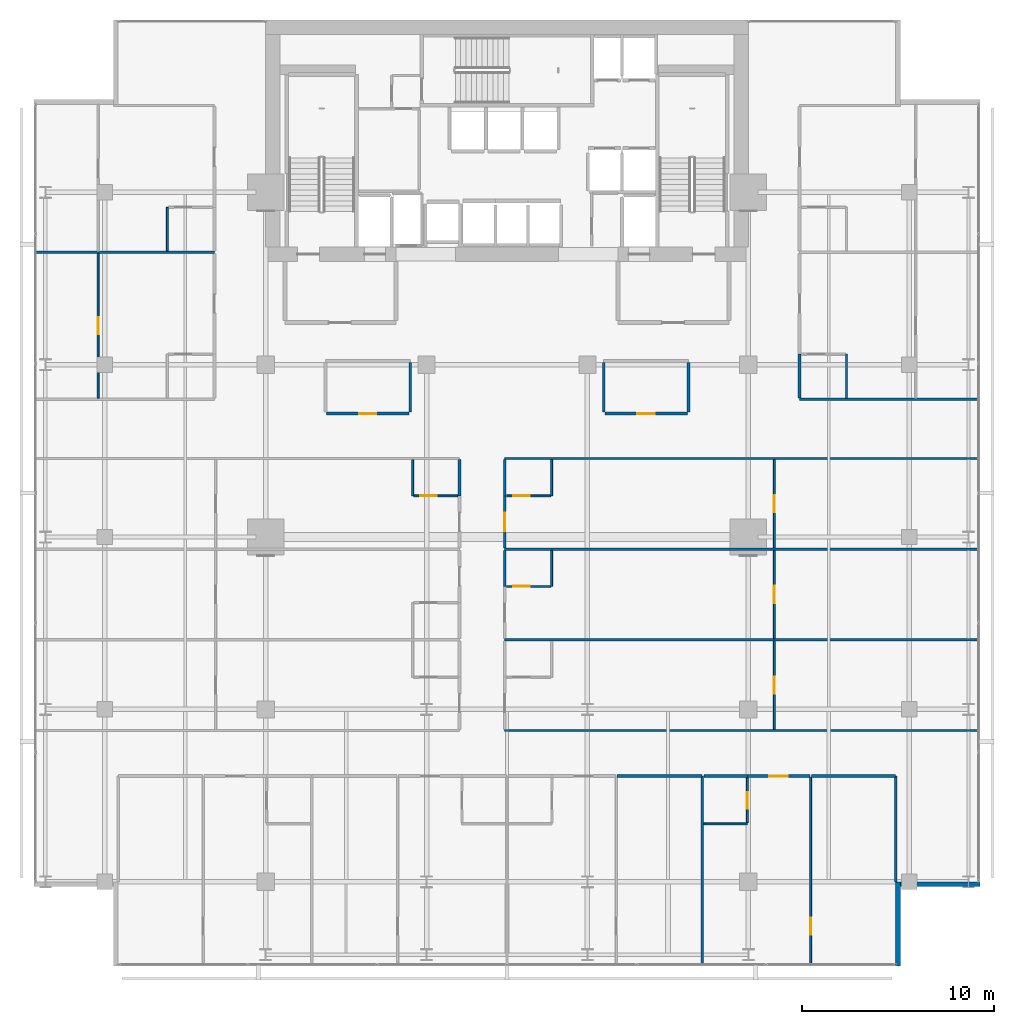
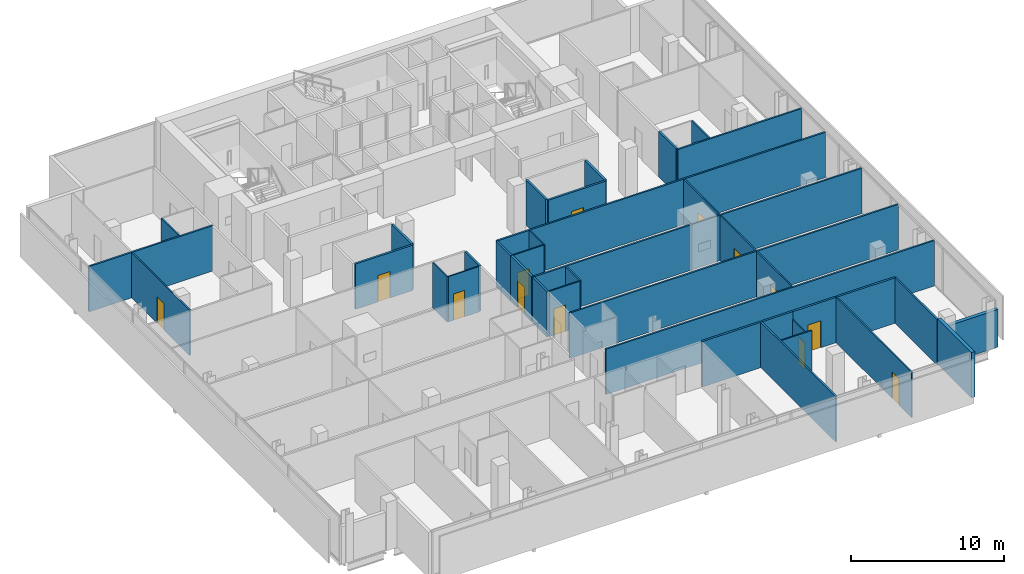
# One storey, part 28 of 33: 39 walls, 13 doors, 13 openings.
"""IFC4 building model written with IfcOpenShell, lengths in metres."""

from ifc_helpers import new_model, si_unit, direction, frame, frame_2d, origin, place, context, subcontext, project, spatial, rectangle, extrude, material, layer, layer_set, type_object, element, fill, save


model = new_model("IFC4")

# Units and contexts
model_context = context("Model", 3, precision=1e-05, world=origin(), true_north=direction((0.0, 1.0)))
body_context = subcontext(model_context, "Body", "Model", "MODEL_VIEW")
ifc_project = project(units=[si_unit("LENGTHUNIT", "METRE"), si_unit("AREAUNIT", "SQUARE_METRE"), si_unit("VOLUMEUNIT", "CUBIC_METRE"), si_unit("PLANEANGLEUNIT", "RADIAN"), si_unit("MASSUNIT", "GRAM", prefix="KILO")], contexts=[model_context])

# Site, building, storey
site_placement = place(None, origin())
site = spatial("IfcSite", under=ifc_project, at=site_placement, CompositionType="ELEMENT")
building_placement = place(site_placement, origin())
building = spatial("IfcBuilding", under=site, at=building_placement, Name="Maruvema Waterfront Hotel and Observation Tower", CompositionType="ELEMENT")
storey_placement = place(building_placement, frame((0.0, 0.0, 142.800048828125)))
storey = spatial("IfcBuildingStorey", under=building, at=storey_placement, Name="L34", CompositionType="ELEMENT", Elevation=142.800048828125)

# Wall
ifc_material_1 = material(Name="Twin-stud acoustic gypsum drywall", Category="gypsum")
ifc_layer_1 = layer(ifc_material_1, 0.14990234375, Name="Acoustic Corridor and Suite Demising Wall 150 mm")
ifc_layer_set_1 = layer_set([ifc_layer_1], Name="Twin-stud acoustic gypsum drywall")
wall_type_1 = type_object("IfcWallType", Name="Acoustic Corridor and Suite Demising Wall 150 mm", PredefinedType="PARTITIONING", material=ifc_layer_set_1)
wall_1_placement = place(storey_placement, frame((32.75, 33.530029296875, 0.0), z_axis=(0.0, 0.0, 1.0), x_axis=(0.0, 1.0, 0.0)))
element("IfcWall", 1, at=wall_1_placement, inside=storey, type_object=wall_type_1, Name="L34 L34-M1 East Wall 019", PredefinedType="PARTITIONING", context=body_context, shape_type="SweptSolid", body=[
    extrude(rectangle(XDim=2.590087890625, YDim=0.14990234375, at=frame_2d((1.294921875, 0.0))), origin(), (0.0, 0.0, 1.0), 3.60986328125),
])

# Wall, opening, door
wall_2_placement = place(storey_placement, frame((28.3798828125, 33.449951171875, 0.0), z_axis=(0.0, 0.0, 1.0), x_axis=(1.0, 0.0, 0.0)))
wall_2 = element("IfcWall", 2, at=wall_2_placement, inside=storey, type_object=wall_type_1, Name="L34 L34-M1 Front 1 020", PredefinedType="PARTITIONING", context=body_context, shape_type="SweptSolid", body=[
    extrude(rectangle(XDim=4.31005859375, YDim=0.14990234375, at=frame_2d((2.155029296875, 0.0))), origin(), (0.0, 0.0, 1.0), 3.60986328125),
])
opening_1_placement = place(wall_2_placement, frame((1.705078125, 0.0, 0.0)))
opening_1 = element("IfcOpeningElement", 3, at=opening_1_placement, cuts=wall_2, Name="Opening DR-090", PredefinedType="OPENING", context=body_context, shape_type="SweptSolid", body=[
    extrude(rectangle(XDim=0.89990234375, YDim=2.10009765625, at=frame_2d((0.449951171875, 1.050048828125))), frame((0.0, 0.0849609375, 0.0), z_axis=(0.0, -1.0, 0.0), x_axis=(1.0, 0.0, 0.0)), (0.0, 0.0, 1.0), 0.169921875),
])
ifc_material_2 = material(Name="Solid-core lacquered timber leaf", Category="wood")
door_type_1 = type_object("IfcDoorType", Name="Accessible Toilet and Room Door 900x2100 mm", OperationType="NOTDEFINED", PredefinedType="DOOR", material=ifc_material_2)
door_1_placement = place(opening_1_placement, frame((0.89990234375, 0.0, 0.0), z_axis=(0.0, 0.0, 1.0), x_axis=(-1.0, 0.0, 0.0)))
door_1 = element("IfcDoor", 4, at=door_1_placement, inside=storey, type_object=door_type_1, Name="L34 Club Meeting Room 1 Door", OperationType="SINGLE_SWING_RIGHT", OverallHeight=2.10009765625, OverallWidth=0.89990234375, PredefinedType="DOOR", context=body_context, shape_type="SweptSolid", body=[
    extrude(rectangle(XDim=0.89990234375, YDim=2.10009765625, at=frame_2d((0.449951171875, 1.050048828125))), frame((0.0, 0.02490234375, 0.0), z_axis=(0.0, -1.0, 0.0), x_axis=(1.0, 0.0, 0.0)), (0.0, 0.0, 1.0), 0.050048828125),
])
fill(opening_1, door_1)

# Walls
for number, where, z_axis, x_axis, name in (
    (5, (42.85009765625, 33.530029296875, 0.0), (0.0, 0.0, 1.0), (0.0, 1.0, 0.0), "L34 L34-M2 West Wall 022"),
    (6, (47.280029296875, 33.530029296875, 0.0), (0.0, 0.0, 1.0), (0.0, 1.0, 0.0), "L34 L34-M2 East Wall 023"),
):
    element("IfcWall", number, at=place(storey_placement, frame(where, z_axis=z_axis, x_axis=x_axis)), inside=storey, type_object=wall_type_1, Name=name, PredefinedType="PARTITIONING", context=body_context, shape_type="SweptSolid", body=[
        extrude(rectangle(XDim=2.590087890625, YDim=0.14990234375, at=frame_2d((1.294921875, 0.0))), origin(), (0.0, 0.0, 1.0), 3.60986328125),
    ])

# Wall, opening, door
wall_3_placement = place(storey_placement, frame((42.909912109375, 33.449951171875, 0.0), z_axis=(0.0, 0.0, 1.0), x_axis=(1.0, 0.0, 0.0)))
wall_3 = element("IfcWall", 7, at=wall_3_placement, inside=storey, type_object=wall_type_1, Name="L34 L34-M2 Front 1 024", PredefinedType="PARTITIONING", context=body_context, shape_type="SweptSolid", body=[
    extrude(rectangle(XDim=4.31005859375, YDim=0.14990234375, at=frame_2d((2.155029296875, 0.0))), origin(), (0.0, 0.0, 1.0), 3.60986328125),
])
opening_2_placement = place(wall_3_placement, frame((1.705078125, 0.0, 0.0)))
opening_2 = element("IfcOpeningElement", 8, at=opening_2_placement, cuts=wall_3, Name="Opening DR-090", PredefinedType="OPENING", context=body_context, shape_type="SweptSolid", body=[
    extrude(rectangle(XDim=0.89990234375, YDim=2.10009765625, at=frame_2d((0.449951171875, 1.050048828125))), frame((0.0, 0.0849609375, 0.0), z_axis=(0.0, -1.0, 0.0), x_axis=(1.0, 0.0, 0.0)), (0.0, 0.0, 1.0), 0.169921875),
])
door_2_placement = place(opening_2_placement, frame((0.89990234375, 0.0, 0.0), z_axis=(0.0, 0.0, 1.0), x_axis=(-1.0, 0.0, 0.0)))
door_2 = element("IfcDoor", 9, at=door_2_placement, inside=storey, type_object=door_type_1, Name="L34 Butler Kitchenette Door", OperationType="SINGLE_SWING_LEFT", OverallHeight=2.10009765625, OverallWidth=0.89990234375, PredefinedType="DOOR", context=body_context, shape_type="SweptSolid", body=[
    extrude(rectangle(XDim=0.89990234375, YDim=2.10009765625, at=frame_2d((0.449951171875, 1.050048828125))), frame((0.0, 0.02490234375, 0.0), z_axis=(0.0, -1.0, 0.0), x_axis=(1.0, 0.0, 0.0)), (0.0, 0.0, 1.0), 0.050048828125),
])
fill(opening_2, door_2)

# Walls
wall_4_placement = place(storey_placement, frame((43.552001953125, 14.52001953125, 0.0), z_axis=(0.0, 0.0, 1.0), x_axis=(1.0, 0.0, 0.0)))
element("IfcWall", 10, at=wall_4_placement, inside=storey, type_object=wall_type_1, Name="L34 Bedroom L34-S3 Back Wall 045", PredefinedType="PARTITIONING", context=body_context, shape_type="SweptSolid", body=[
    extrude(rectangle(XDim=4.427978515625, YDim=0.14990234375, at=frame_2d((2.2138671875, 0.0))), origin(), (0.0, 0.0, 1.0), 3.60986328125),
])
wall_5_placement = place(storey_placement, frame((48.080078125, 14.52001953125, 0.0), z_axis=(0.0, 0.0, 1.0), x_axis=(1.0, 0.0, 0.0)))
element("IfcWall", 11, at=wall_5_placement, inside=storey, type_object=wall_type_1, Name="L34 Bath L34-S4 Back Wall 048", PredefinedType="PARTITIONING", context=body_context, shape_type="SweptSolid", body=[
    extrude(rectangle(XDim=2.27001953125, YDim=0.14990234375, at=frame_2d((1.135009765625, 0.0))), origin(), (0.0, 0.0, 1.0), 3.60986328125),
])

# Wall, opening, door
wall_6_placement = place(storey_placement, frame((50.35009765625, 14.52001953125, 0.0), z_axis=(0.0, 0.0, 1.0), x_axis=(1.0, 0.0, 0.0)))
wall_6 = element("IfcWall", 12, at=wall_6_placement, inside=storey, type_object=wall_type_1, Name="L34 Unit L34-S4 Corridor Wall 051", PredefinedType="PARTITIONING", context=body_context, shape_type="SweptSolid", body=[
    extrude(rectangle(XDim=3.265869140625, YDim=0.14990234375, at=frame_2d((1.6328125, 0.0))), origin(), (0.0, 0.0, 1.0), 3.60986328125),
])
opening_3_placement = place(wall_6_placement, frame((1.157958984375, 0.0, 0.0)))
opening_3 = element("IfcOpeningElement", 13, at=opening_3_placement, cuts=wall_6, Name="Opening DR-095", PredefinedType="OPENING", context=body_context, shape_type="SweptSolid", body=[
    extrude(rectangle(XDim=0.949951171875, YDim=2.14990234375, at=frame_2d((0.47509765625, 1.074951171875))), frame((0.0, 0.0849609375, 0.0), z_axis=(0.0, -1.0, 0.0), x_axis=(1.0, 0.0, 0.0)), (0.0, 0.0, 1.0), 0.169921875),
])
ifc_material_3 = material(Name="Acoustic solid-core hardwood timber leaf", Category="wood")
door_type_2 = type_object("IfcDoorType", Name="Guestroom Entrance Fire Door 950x2150 mm", OperationType="NOTDEFINED", PredefinedType="DOOR", material=ifc_material_3)
door_3_placement = place(opening_3_placement, frame((0.949951171875, 0.0, 0.0), z_axis=(0.0, 0.0, 1.0), x_axis=(-1.0, 0.0, 0.0)))
door_3 = element("IfcDoor", 14, at=door_3_placement, inside=storey, type_object=door_type_2, Name="L34 Unit L34-S4 Entrance Door", OperationType="SINGLE_SWING_RIGHT", OverallHeight=2.14990234375, OverallWidth=0.949951171875, PredefinedType="DOOR", context=body_context, shape_type="SweptSolid", body=[
    extrude(rectangle(XDim=0.949951171875, YDim=2.14990234375, at=frame_2d((0.47509765625, 1.074951171875))), frame((0.0, 0.02490234375, 0.0), z_axis=(0.0, -1.0, 0.0), x_axis=(1.0, 0.0, 0.0)), (0.0, 0.0, 1.0), 0.050048828125),
])
fill(opening_3, door_3)

# Walls
wall_7_placement = place(storey_placement, frame((53.696044921875, 14.52001953125, 0.0), z_axis=(0.0, 0.0, 1.0), x_axis=(1.0, 0.0, 0.0)))
element("IfcWall", 15, at=wall_7_placement, inside=storey, type_object=wall_type_1, Name="L34 Bedroom L34-S4 Back Wall 052", PredefinedType="PARTITIONING", context=body_context, shape_type="SweptSolid", body=[
    extrude(rectangle(XDim=4.384033203125, YDim=0.14990234375, at=frame_2d((2.19189453125, 0.0))), origin(), (0.0, 0.0, 1.0), 3.60986328125),
])
for number, where, z_axis, x_axis, name in (
    (16, (37.679931640625, 24.419921875, 0.0), (0.0, 0.0, 1.0), (0.0, 1.0, 0.0), "L34 Bath L34-E2 Wall 076"),
    (17, (35.320068359375, 29.14990234375, 0.0), (0.0, 0.0, 1.0), (0.0, 1.0, 0.0), "L34 Bath L34-W3 Wall 083"),
):
    element("IfcWall", number, at=place(storey_placement, frame(where, z_axis=z_axis, x_axis=x_axis)), inside=storey, type_object=wall_type_1, Name=name, PredefinedType="PARTITIONING", context=body_context, shape_type="SweptSolid", body=[
        extrude(rectangle(XDim=1.89013671875, YDim=0.14990234375, at=frame_2d((0.945068359375, 0.0))), origin(), (0.0, 0.0, 1.0), 3.60986328125),
    ])

# Wall, opening, door
wall_8_placement = place(storey_placement, frame((37.679931640625, 26.429931640625, 0.0), z_axis=(0.0, 0.0, 1.0), x_axis=(0.0, 1.0, 0.0)))
wall_8 = element("IfcWall", 18, at=wall_8_placement, inside=storey, type_object=wall_type_1, Name="L34 Room L34-E3 Corridor Wall 087", PredefinedType="PARTITIONING", context=body_context, shape_type="SweptSolid", body=[
    extrude(rectangle(XDim=2.719970703125, YDim=0.14990234375, at=frame_2d((1.35986328125, 0.0))), origin(), (0.0, 0.0, 1.0), 3.60986328125),
])
opening_4_placement = place(wall_8_placement, frame((0.885009765625, 0.0, 0.0)))
opening_4 = element("IfcOpeningElement", 19, at=opening_4_placement, cuts=wall_8, Name="Opening DR-095", PredefinedType="OPENING", context=body_context, shape_type="SweptSolid", body=[
    extrude(rectangle(XDim=0.949951171875, YDim=2.14990234375, at=frame_2d((0.47509765625, 1.074951171875))), frame((0.0, 0.0849609375, 0.0), z_axis=(0.0, -1.0, 0.0), x_axis=(1.0, 0.0, 0.0)), (0.0, 0.0, 1.0), 0.169921875),
])
door_4_placement = place(opening_4_placement, frame((0.949951171875, 0.0, 0.0), z_axis=(0.0, 0.0, 1.0), x_axis=(-1.0, 0.0, 0.0)))
door_4 = element("IfcDoor", 20, at=door_4_placement, inside=storey, type_object=door_type_2, Name="L34 Room L34-E3 Entrance Door", OperationType="SINGLE_SWING_RIGHT", OverallHeight=2.14990234375, OverallWidth=0.949951171875, PredefinedType="DOOR", context=body_context, shape_type="SweptSolid", body=[
    extrude(rectangle(XDim=0.949951171875, YDim=2.14990234375, at=frame_2d((0.47509765625, 1.074951171875))), frame((0.0, 0.02490234375, 0.0), z_axis=(0.0, -1.0, 0.0), x_axis=(1.0, 0.0, 0.0)), (0.0, 0.0, 1.0), 0.050048828125),
])
fill(opening_4, door_4)

# Walls
wall_9_placement = place(storey_placement, frame((37.679931640625, 29.14990234375, 0.0), z_axis=(0.0, 0.0, 1.0), x_axis=(0.0, 1.0, 0.0)))
element("IfcWall", 21, at=wall_9_placement, inside=storey, type_object=wall_type_1, Name="L34 Bath L34-E3 Wall 088", PredefinedType="PARTITIONING", context=body_context, shape_type="SweptSolid", body=[
    extrude(rectangle(XDim=1.89013671875, YDim=0.14990234375, at=frame_2d((0.945068359375, 0.0))), origin(), (0.0, 0.0, 1.0), 3.60986328125),
])
wall_10_placement = place(storey_placement, frame((53.080078125, 34.260009765625, 0.0), z_axis=(0.0, 0.0, 1.0), x_axis=(0.0, 1.0, 0.0)))
element("IfcWall", 22, at=wall_10_placement, inside=storey, type_object=wall_type_1, Name="L34 Bath L34-NE1 Wall 101", PredefinedType="PARTITIONING", context=body_context, shape_type="SweptSolid", body=[
    extrude(rectangle(XDim=2.2900390625, YDim=0.14990234375, at=frame_2d((1.14501953125, 0.0))), origin(), (0.0, 0.0, 1.0), 3.60986328125),
])
ifc_material_4 = material(Name="Moisture-resistant cement-board drywall", Category="gypsum")
ifc_layer_2 = layer(ifc_material_4, 0.10009765625, Name="En-Suite Moisture-Resistant Partition 100 mm")
ifc_layer_set_2 = layer_set([ifc_layer_2], Name="Moisture-resistant cement-board drywall")
wall_type_2 = type_object("IfcWallType", Name="En-Suite Moisture-Resistant Partition 100 mm", PredefinedType="PARTITIONING", material=ifc_layer_set_2)
wall_11_placement = place(storey_placement, frame((48.080078125, 12.02001953125, 0.0), z_axis=(0.0, 0.0, 1.0), x_axis=(1.0, 0.0, 0.0)))
element("IfcWall", 23, at=wall_11_placement, inside=storey, type_object=wall_type_2, Name="L34 En-Suite L34-S4 South 049", PredefinedType="PARTITIONING", context=body_context, shape_type="SweptSolid", body=[
    extrude(rectangle(XDim=2.27001953125, YDim=0.10009765625, at=frame_2d((1.135009765625, 0.0))), origin(), (0.0, 0.0, 1.0), 3.60986328125),
])

# Wall, opening, door
wall_12_placement = place(storey_placement, frame((50.35009765625, 12.080078125, 0.0), z_axis=(0.0, 0.0, 1.0), x_axis=(0.0, 1.0, 0.0)))
wall_12 = element("IfcWall", 24, at=wall_12_placement, inside=storey, type_object=wall_type_2, Name="L34 En-Suite L34-S4 East 050", PredefinedType="PARTITIONING", context=body_context, shape_type="SweptSolid", body=[
    extrude(rectangle(XDim=2.33984375, YDim=0.10009765625, at=frame_2d((1.169921875, 0.0))), origin(), (0.0, 0.0, 1.0), 2.998046875),
])
opening_5_placement = place(wall_12_placement, frame((0.7451171875, 0.0, 0.0)))
opening_5 = element("IfcOpeningElement", 25, at=opening_5_placement, cuts=wall_12, Name="Opening DR-085", PredefinedType="OPENING", context=body_context, shape_type="SweptSolid", body=[
    extrude(rectangle(XDim=0.85009765625, YDim=2.10009765625, at=frame_2d((0.425048828125, 1.050048828125))), frame((0.0, 0.06005859375, 0.0), z_axis=(0.0, -1.0, 0.0), x_axis=(1.0, 0.0, 0.0)), (0.0, 0.0, 1.0), 0.1201171875),
])
ifc_material_5 = material(Name="Moisture-resistant solid timber leaf", Category="wood")
door_type_3 = type_object("IfcDoorType", Name="En-Suite Bathroom Door 850x2100 mm", OperationType="NOTDEFINED", PredefinedType="DOOR", material=ifc_material_5)
door_5_placement = place(opening_5_placement, frame((0.85009765625, 0.0, 0.0), z_axis=(0.0, 0.0, 1.0), x_axis=(-1.0, 0.0, 0.0)))
door_5 = element("IfcDoor", 26, at=door_5_placement, inside=storey, type_object=door_type_3, Name="L34 En-Suite L34-S4 Door", OperationType="SINGLE_SWING_LEFT", OverallHeight=2.10009765625, OverallWidth=0.85009765625, PredefinedType="DOOR", context=body_context, shape_type="SweptSolid", body=[
    extrude(rectangle(XDim=0.85009765625, YDim=2.10009765625, at=frame_2d((0.425048828125, 1.050048828125))), frame((0.0, 0.02490234375, 0.0), z_axis=(0.0, -1.0, 0.0), x_axis=(1.0, 0.0, 0.0)), (0.0, 0.0, 1.0), 0.050048828125),
])
fill(opening_5, door_5)

wall_13_placement = place(storey_placement, frame((53.656005859375, 4.6298828125, 0.0), z_axis=(0.0, 0.0, 1.0), x_axis=(0.0, 1.0, 0.0)))
wall_13 = element("IfcWall", 27, at=wall_13_placement, inside=storey, type_object=wall_type_2, Name="L34 Suite L34-S4 Split 053", PredefinedType="PARTITIONING", context=body_context, shape_type="SweptSolid", body=[
    extrude(rectangle(XDim=9.830078125, YDim=0.10009765625, at=frame_2d((4.9150390625, 0.0))), origin(), (0.0, 0.0, 1.0), 3.60986328125),
])
opening_6_placement = place(wall_13_placement, frame((1.60009765625, 0.0, 0.0)))
opening_6 = element("IfcOpeningElement", 28, at=opening_6_placement, cuts=wall_13, Name="Opening DR-090", PredefinedType="OPENING", context=body_context, shape_type="SweptSolid", body=[
    extrude(rectangle(XDim=0.89990234375, YDim=2.10009765625, at=frame_2d((0.449951171875, 1.050048828125))), frame((0.0, 0.06005859375, 0.0), z_axis=(0.0, -1.0, 0.0), x_axis=(1.0, 0.0, 0.0)), (0.0, 0.0, 1.0), 0.1201171875),
])
door_6_placement = place(opening_6_placement, origin())
door_6 = element("IfcDoor", 29, at=door_6_placement, inside=storey, type_object=door_type_1, Name="L34 Suite L34-S4 Bedroom Door", OperationType="SINGLE_SWING_LEFT", OverallHeight=2.10009765625, OverallWidth=0.89990234375, PredefinedType="DOOR", context=body_context, shape_type="SweptSolid", body=[
    extrude(rectangle(XDim=0.89990234375, YDim=2.10009765625, at=frame_2d((0.449951171875, 1.050048828125))), frame((0.0, 0.02490234375, 0.0), z_axis=(0.0, -1.0, 0.0), x_axis=(1.0, 0.0, 0.0)), (0.0, 0.0, 1.0), 0.050048828125),
])
fill(opening_6, door_6)

wall_14_placement = place(storey_placement, frame((51.762451171875, 16.9599609375, 0.0), z_axis=(0.0, 0.0, 1.0), x_axis=(0.0, 1.0, 0.0)))
wall_14 = element("IfcWall", 30, at=wall_14_placement, inside=storey, type_object=wall_type_2, Name="L34 Suite L34-E1 Split 067", PredefinedType="PARTITIONING", context=body_context, shape_type="SweptSolid", body=[
    extrude(rectangle(XDim=4.610107421875, YDim=0.10009765625, at=frame_2d((2.30517578125, 0.0))), origin(), (0.0, 0.0, 1.0), 3.60986328125),
])
opening_7_placement = place(wall_14_placement, frame((1.85498046875, 0.0, 0.0)))
opening_7 = element("IfcOpeningElement", 31, at=opening_7_placement, cuts=wall_14, Name="Opening DR-090", PredefinedType="OPENING", context=body_context, shape_type="SweptSolid", body=[
    extrude(rectangle(XDim=0.89990234375, YDim=2.10009765625, at=frame_2d((0.449951171875, 1.050048828125))), frame((0.0, 0.06005859375, 0.0), z_axis=(0.0, -1.0, 0.0), x_axis=(1.0, 0.0, 0.0)), (0.0, 0.0, 1.0), 0.1201171875),
])
door_7_placement = place(opening_7_placement, frame((0.89990234375, 0.0, 0.0), z_axis=(0.0, 0.0, 1.0), x_axis=(-1.0, 0.0, 0.0)))
door_7 = element("IfcDoor", 32, at=door_7_placement, inside=storey, type_object=door_type_1, Name="L34 Suite L34-E1 Bedroom Door", OperationType="SINGLE_SWING_LEFT", OverallHeight=2.10009765625, OverallWidth=0.89990234375, PredefinedType="DOOR", context=body_context, shape_type="SweptSolid", body=[
    extrude(rectangle(XDim=0.89990234375, YDim=2.10009765625, at=frame_2d((0.449951171875, 1.050048828125))), frame((0.0, 0.02490234375, 0.0), z_axis=(0.0, -1.0, 0.0), x_axis=(1.0, 0.0, 0.0)), (0.0, 0.0, 1.0), 0.050048828125),
])
fill(opening_7, door_7)

# Wall
wall_15_placement = place(storey_placement, frame((40.1298828125, 24.419921875, 0.0), z_axis=(0.0, 0.0, 1.0), x_axis=(0.0, 1.0, 0.0)))
element("IfcWall", 33, at=wall_15_placement, inside=storey, type_object=wall_type_2, Name="L34 En-Suite L34-E2 E 077", PredefinedType="PARTITIONING", context=body_context, shape_type="SweptSolid", body=[
    extrude(rectangle(XDim=1.89013671875, YDim=0.10009765625, at=frame_2d((0.945068359375, 0.0))), origin(), (0.0, 0.0, 1.0), 3.60986328125),
])

# Wall, opening, door
wall_16_placement = place(storey_placement, frame((37.780029296875, 24.419921875, 0.0), z_axis=(0.0, 0.0, 1.0), x_axis=(1.0, 0.0, 0.0)))
wall_16 = element("IfcWall", 34, at=wall_16_placement, inside=storey, type_object=wall_type_2, Name="L34 En-Suite L34-E2 S 078", PredefinedType="PARTITIONING", context=body_context, shape_type="SweptSolid", body=[
    extrude(rectangle(XDim=2.300048828125, YDim=0.10009765625, at=frame_2d((1.14990234375, 0.0))), origin(), (0.0, 0.0, 1.0), 3.60986328125),
])
opening_8_placement = place(wall_16_placement, frame((0.35009765625, 0.0, 0.0)))
opening_8 = element("IfcOpeningElement", 35, at=opening_8_placement, cuts=wall_16, Name="Opening DR-085", PredefinedType="OPENING", context=body_context, shape_type="SweptSolid", body=[
    extrude(rectangle(XDim=0.85009765625, YDim=2.10009765625, at=frame_2d((0.425048828125, 1.050048828125))), frame((0.0, 0.06005859375, 0.0), z_axis=(0.0, -1.0, 0.0), x_axis=(1.0, 0.0, 0.0)), (0.0, 0.0, 1.0), 0.1201171875),
])
door_8_placement = place(opening_8_placement, frame((0.85009765625, 0.0, 0.0), z_axis=(0.0, 0.0, 1.0), x_axis=(-1.0, 0.0, 0.0)))
door_8 = element("IfcDoor", 36, at=door_8_placement, inside=storey, type_object=door_type_3, Name="L34 En-Suite L34-E2 Door", OperationType="SINGLE_SWING_LEFT", OverallHeight=2.10009765625, OverallWidth=0.85009765625, PredefinedType="DOOR", context=body_context, shape_type="SweptSolid", body=[
    extrude(rectangle(XDim=0.85009765625, YDim=2.10009765625, at=frame_2d((0.425048828125, 1.050048828125))), frame((0.0, 0.02490234375, 0.0), z_axis=(0.0, -1.0, 0.0), x_axis=(1.0, 0.0, 0.0)), (0.0, 0.0, 1.0), 0.050048828125),
])
fill(opening_8, door_8)

wall_17_placement = place(storey_placement, frame((51.762451171875, 21.68994140625, 0.0), z_axis=(0.0, 0.0, 1.0), x_axis=(0.0, 1.0, 0.0)))
wall_17 = element("IfcWall", 37, at=wall_17_placement, inside=storey, type_object=wall_type_2, Name="L34 Suite L34-E2 Split 079", PredefinedType="PARTITIONING", context=body_context, shape_type="SweptSolid", body=[
    extrude(rectangle(XDim=4.6201171875, YDim=0.10009765625, at=frame_2d((2.31005859375, 0.0))), origin(), (0.0, 0.0, 1.0), 3.60986328125),
])
opening_9_placement = place(wall_17_placement, frame((1.860107421875, 0.0, 0.0)))
opening_9 = element("IfcOpeningElement", 38, at=opening_9_placement, cuts=wall_17, Name="Opening DR-090", PredefinedType="OPENING", context=body_context, shape_type="SweptSolid", body=[
    extrude(rectangle(XDim=0.89990234375, YDim=2.10009765625, at=frame_2d((0.449951171875, 1.050048828125))), frame((0.0, 0.06005859375, 0.0), z_axis=(0.0, -1.0, 0.0), x_axis=(1.0, 0.0, 0.0)), (0.0, 0.0, 1.0), 0.1201171875),
])
door_9_placement = place(opening_9_placement, frame((0.89990234375, 0.0, 0.0), z_axis=(0.0, 0.0, 1.0), x_axis=(-1.0, 0.0, 0.0)))
door_9 = element("IfcDoor", 39, at=door_9_placement, inside=storey, type_object=door_type_1, Name="L34 Suite L34-E2 Bedroom Door", OperationType="SINGLE_SWING_LEFT", OverallHeight=2.10009765625, OverallWidth=0.89990234375, PredefinedType="DOOR", context=body_context, shape_type="SweptSolid", body=[
    extrude(rectangle(XDim=0.89990234375, YDim=2.10009765625, at=frame_2d((0.449951171875, 1.050048828125))), frame((0.0, 0.02490234375, 0.0), z_axis=(0.0, -1.0, 0.0), x_axis=(1.0, 0.0, 0.0)), (0.0, 0.0, 1.0), 0.050048828125),
])
fill(opening_9, door_9)

# Wall
wall_18_placement = place(storey_placement, frame((32.8701171875, 29.14990234375, 0.0), z_axis=(0.0, 0.0, 1.0), x_axis=(0.0, 1.0, 0.0)))
element("IfcWall", 40, at=wall_18_placement, inside=storey, type_object=wall_type_2, Name="L34 En-Suite L34-W3 W 084", PredefinedType="PARTITIONING", context=body_context, shape_type="SweptSolid", body=[
    extrude(rectangle(XDim=1.89013671875, YDim=0.10009765625, at=frame_2d((0.945068359375, 0.0))), origin(), (0.0, 0.0, 1.0), 3.60986328125),
])

# Wall, opening, door
wall_19_placement = place(storey_placement, frame((32.919921875, 29.14990234375, 0.0), z_axis=(0.0, 0.0, 1.0), x_axis=(1.0, 0.0, 0.0)))
wall_19 = element("IfcWall", 41, at=wall_19_placement, inside=storey, type_object=wall_type_2, Name="L34 En-Suite L34-W3 S 085", PredefinedType="PARTITIONING", context=body_context, shape_type="SweptSolid", body=[
    extrude(rectangle(XDim=2.300048828125, YDim=0.10009765625, at=frame_2d((1.14990234375, 0.0))), origin(), (0.0, 0.0, 1.0), 3.60986328125),
])
opening_10_placement = place(wall_19_placement, frame((0.35009765625, 0.0, 0.0)))
opening_10 = element("IfcOpeningElement", 42, at=opening_10_placement, cuts=wall_19, Name="Opening DR-085", PredefinedType="OPENING", context=body_context, shape_type="SweptSolid", body=[
    extrude(rectangle(XDim=0.85009765625, YDim=2.10009765625, at=frame_2d((0.425048828125, 1.050048828125))), frame((0.0, 0.06005859375, 0.0), z_axis=(0.0, -1.0, 0.0), x_axis=(1.0, 0.0, 0.0)), (0.0, 0.0, 1.0), 0.1201171875),
])
door_10_placement = place(opening_10_placement, frame((0.85009765625, 0.0, 0.0), z_axis=(0.0, 0.0, 1.0), x_axis=(-1.0, 0.0, 0.0)))
door_10 = element("IfcDoor", 43, at=door_10_placement, inside=storey, type_object=door_type_3, Name="L34 En-Suite L34-W3 Door", OperationType="SINGLE_SWING_RIGHT", OverallHeight=2.10009765625, OverallWidth=0.85009765625, PredefinedType="DOOR", context=body_context, shape_type="SweptSolid", body=[
    extrude(rectangle(XDim=0.85009765625, YDim=2.10009765625, at=frame_2d((0.425048828125, 1.050048828125))), frame((0.0, 0.02490234375, 0.0), z_axis=(0.0, -1.0, 0.0), x_axis=(1.0, 0.0, 0.0)), (0.0, 0.0, 1.0), 0.050048828125),
])
fill(opening_10, door_10)

# Wall
wall_20_placement = place(storey_placement, frame((40.1298828125, 29.14990234375, 0.0), z_axis=(0.0, 0.0, 1.0), x_axis=(0.0, 1.0, 0.0)))
element("IfcWall", 44, at=wall_20_placement, inside=storey, type_object=wall_type_2, Name="L34 En-Suite L34-E3 E 089", PredefinedType="PARTITIONING", context=body_context, shape_type="SweptSolid", body=[
    extrude(rectangle(XDim=1.89013671875, YDim=0.10009765625, at=frame_2d((0.945068359375, 0.0))), origin(), (0.0, 0.0, 1.0), 3.60986328125),
])

# Wall, opening, door
wall_21_placement = place(storey_placement, frame((37.780029296875, 29.14990234375, 0.0), z_axis=(0.0, 0.0, 1.0), x_axis=(1.0, 0.0, 0.0)))
wall_21 = element("IfcWall", 45, at=wall_21_placement, inside=storey, type_object=wall_type_2, Name="L34 En-Suite L34-E3 S 090", PredefinedType="PARTITIONING", context=body_context, shape_type="SweptSolid", body=[
    extrude(rectangle(XDim=2.300048828125, YDim=0.10009765625, at=frame_2d((1.14990234375, 0.0))), origin(), (0.0, 0.0, 1.0), 3.60986328125),
])
opening_11_placement = place(wall_21_placement, frame((0.35009765625, 0.0, 0.0)))
opening_11 = element("IfcOpeningElement", 46, at=opening_11_placement, cuts=wall_21, Name="Opening DR-085", PredefinedType="OPENING", context=body_context, shape_type="SweptSolid", body=[
    extrude(rectangle(XDim=0.85009765625, YDim=2.10009765625, at=frame_2d((0.425048828125, 1.050048828125))), frame((0.0, 0.06005859375, 0.0), z_axis=(0.0, -1.0, 0.0), x_axis=(1.0, 0.0, 0.0)), (0.0, 0.0, 1.0), 0.1201171875),
])
door_11_placement = place(opening_11_placement, frame((0.85009765625, 0.0, 0.0), z_axis=(0.0, 0.0, 1.0), x_axis=(-1.0, 0.0, 0.0)))
door_11 = element("IfcDoor", 47, at=door_11_placement, inside=storey, type_object=door_type_3, Name="L34 En-Suite L34-E3 Door", OperationType="SINGLE_SWING_LEFT", OverallHeight=2.10009765625, OverallWidth=0.85009765625, PredefinedType="DOOR", context=body_context, shape_type="SweptSolid", body=[
    extrude(rectangle(XDim=0.85009765625, YDim=2.10009765625, at=frame_2d((0.425048828125, 1.050048828125))), frame((0.0, 0.02490234375, 0.0), z_axis=(0.0, -1.0, 0.0), x_axis=(1.0, 0.0, 0.0)), (0.0, 0.0, 1.0), 0.050048828125),
])
fill(opening_11, door_11)

wall_22_placement = place(storey_placement, frame((51.762451171875, 26.429931640625, 0.0), z_axis=(0.0, 0.0, 1.0), x_axis=(0.0, 1.0, 0.0)))
wall_22 = element("IfcWall", 48, at=wall_22_placement, inside=storey, type_object=wall_type_2, Name="L34 Suite L34-E3 Split 091", PredefinedType="PARTITIONING", context=body_context, shape_type="SweptSolid", body=[
    extrude(rectangle(XDim=4.610107421875, YDim=0.10009765625, at=frame_2d((2.30517578125, 0.0))), origin(), (0.0, 0.0, 1.0), 3.60986328125),
])
opening_12_placement = place(wall_22_placement, frame((1.85498046875, 0.0, 0.0)))
opening_12 = element("IfcOpeningElement", 49, at=opening_12_placement, cuts=wall_22, Name="Opening DR-090", PredefinedType="OPENING", context=body_context, shape_type="SweptSolid", body=[
    extrude(rectangle(XDim=0.89990234375, YDim=2.10009765625, at=frame_2d((0.449951171875, 1.050048828125))), frame((0.0, 0.06005859375, 0.0), z_axis=(0.0, -1.0, 0.0), x_axis=(1.0, 0.0, 0.0)), (0.0, 0.0, 1.0), 0.1201171875),
])
door_12_placement = place(opening_12_placement, frame((0.89990234375, 0.0, 0.0), z_axis=(0.0, 0.0, 1.0), x_axis=(-1.0, 0.0, 0.0)))
door_12 = element("IfcDoor", 50, at=door_12_placement, inside=storey, type_object=door_type_1, Name="L34 Suite L34-E3 Bedroom Door", OperationType="SINGLE_SWING_LEFT", OverallHeight=2.10009765625, OverallWidth=0.89990234375, PredefinedType="DOOR", context=body_context, shape_type="SweptSolid", body=[
    extrude(rectangle(XDim=0.89990234375, YDim=2.10009765625, at=frame_2d((0.449951171875, 1.050048828125))), frame((0.0, 0.02490234375, 0.0), z_axis=(0.0, -1.0, 0.0), x_axis=(1.0, 0.0, 0.0)), (0.0, 0.0, 1.0), 0.050048828125),
])
fill(opening_12, door_12)

wall_23_placement = place(storey_placement, frame((16.445556640625, 34.260009765625, 0.0), z_axis=(0.0, 0.0, 1.0), x_axis=(0.0, 1.0, 0.0)))
wall_23 = element("IfcWall", 51, at=wall_23_placement, inside=storey, type_object=wall_type_2, Name="L34 Suite L34-NW1 Split 100", PredefinedType="PARTITIONING", context=body_context, shape_type="SweptSolid", body=[
    extrude(rectangle(XDim=7.548828125, YDim=0.10009765625, at=frame_2d((3.7744140625, 0.0))), origin(), (0.0, 0.0, 1.0), 3.60986328125),
])
opening_13_placement = place(wall_23_placement, frame((3.324462890625, 0.0, 0.0)))
opening_13 = element("IfcOpeningElement", 52, at=opening_13_placement, cuts=wall_23, Name="Opening DR-090", PredefinedType="OPENING", context=body_context, shape_type="SweptSolid", body=[
    extrude(rectangle(XDim=0.89990234375, YDim=2.10009765625, at=frame_2d((0.449951171875, 1.050048828125))), frame((0.0, 0.06005859375, 0.0), z_axis=(0.0, -1.0, 0.0), x_axis=(1.0, 0.0, 0.0)), (0.0, 0.0, 1.0), 0.1201171875),
])
door_13_placement = place(opening_13_placement, origin())
door_13 = element("IfcDoor", 53, at=door_13_placement, inside=storey, type_object=door_type_1, Name="L34 Suite L34-NW1 Bedroom Door", OperationType="SINGLE_SWING_RIGHT", OverallHeight=2.10009765625, OverallWidth=0.89990234375, PredefinedType="DOOR", context=body_context, shape_type="SweptSolid", body=[
    extrude(rectangle(XDim=0.89990234375, YDim=2.10009765625, at=frame_2d((0.449951171875, 1.050048828125))), frame((0.0, 0.02490234375, 0.0), z_axis=(0.0, -1.0, 0.0), x_axis=(1.0, 0.0, 0.0)), (0.0, 0.0, 1.0), 0.050048828125),
])
fill(opening_13, door_13)

# Walls
for number, where, z_axis, x_axis, name in (
    (54, (55.530029296875, 34.260009765625, 0.0), (0.0, 0.0, 1.0), (0.0, 1.0, 0.0), "L34 En-Suite L34-NE1 E 103"),
    (55, (20.070068359375, 41.9287109375, 0.0), (0.0, 0.0, 1.0), (0.0, 1.0, 0.0), "L34 En-Suite L34-NW2 W 110"),
):
    element("IfcWall", number, at=place(storey_placement, frame(where, z_axis=z_axis, x_axis=x_axis)), inside=storey, type_object=wall_type_2, Name=name, PredefinedType="PARTITIONING", context=body_context, shape_type="SweptSolid", body=[
        extrude(rectangle(XDim=2.2900390625, YDim=0.10009765625, at=frame_2d((1.14501953125, 0.0))), origin(), (0.0, 0.0, 1.0), 3.60986328125),
    ])
ifc_material_6 = material(Name="Precast concrete C45/55 with honed Pernambuco granite facing", Category="masonry")
ifc_layer_3 = layer(ifc_material_6, 0.260009765625, Name="Exterior Granite Clad Spandrel and Pier Wall 260 mm")
ifc_layer_set_3 = layer_set([ifc_layer_3], Name="Precast concrete C45/55 with honed Pernambuco granite facing")
wall_type_3 = type_object("IfcWallType", Name="Exterior Granite Clad Spandrel and Pier Wall 260 mm", PredefinedType="SOLIDWALL", material=ifc_layer_set_3)
wall_24_placement = place(storey_placement, frame((58.22998046875, 9.0, 0.0), z_axis=(0.0, 0.0, 1.0), x_axis=(0.0, -1.0, 0.0)))
element("IfcWall", 56, at=wall_24_placement, inside=storey, type_object=wall_type_3, Name="L34 Corner Notch Granite Pier Wall SE1", PredefinedType="SOLIDWALL", context=body_context, shape_type="SweptSolid", body=[
    extrude(rectangle(XDim=4.39990234375, YDim=0.260009765625, at=frame_2d((2.199951171875, 0.0))), origin(), (0.0, 0.0, 1.0), 3.60986328125),
])
wall_25_placement = place(storey_placement, frame((62.5, 8.8701171875, 0.0), z_axis=(0.0, 0.0, 1.0), x_axis=(-1.0, 0.0, 0.0)))
element("IfcWall", 57, at=wall_25_placement, inside=storey, type_object=wall_type_3, Name="L34 Corner Notch Granite Pier Wall SE2", PredefinedType="SOLIDWALL", context=body_context, shape_type="SweptSolid", body=[
    extrude(rectangle(XDim=4.39990234375, YDim=0.260009765625, at=frame_2d((2.199951171875, 0.0))), origin(), (0.0, 0.0, 1.0), 2.998046875),
])
ifc_material_7 = material(Name="Acoustic gypsum plasterboard drywall", Category="gypsum")
ifc_layer_4 = layer(ifc_material_7, 0.125, Name="Guestroom Acoustic Demising Wall 125 mm")
ifc_layer_set_4 = layer_set([ifc_layer_4], Name="Acoustic gypsum plasterboard drywall")
wall_type_4 = type_object("IfcWallType", Name="Guestroom Acoustic Demising Wall 125 mm", PredefinedType="PARTITIONING", material=ifc_layer_set_4)
wall_26_placement = place(storey_placement, frame((58.10009765625, 9.0, 0.0), z_axis=(0.0, 0.0, 1.0), x_axis=(0.0, 1.0, 0.0)))
element("IfcWall", 58, at=wall_26_placement, inside=storey, type_object=wall_type_4, Name="L34 Z2 S East End 026", PredefinedType="PARTITIONING", context=body_context, shape_type="SweptSolid", body=[
    extrude(rectangle(XDim=5.52001953125, YDim=0.125, at=frame_2d((2.760009765625, 0.0))), origin(), (0.0, 0.0, 1.0), 3.60986328125),
])
wall_27_placement = place(storey_placement, frame((48.0, 4.699951171875, 0.0), z_axis=(0.0, 0.0, 1.0), x_axis=(0.0, 1.0, 0.0)))
element("IfcWall", 59, at=wall_27_placement, inside=storey, type_object=wall_type_4, Name="L34 Z2 S Demising 4 047", PredefinedType="PARTITIONING", context=body_context, shape_type="SweptSolid", body=[
    extrude(rectangle(XDim=9.820068359375, YDim=0.125, at=frame_2d((4.91015625, 0.0))), origin(), (0.0, 0.0, 1.0), 3.60986328125),
])
for number, where, z_axis, x_axis, name in (
    (60, (37.679931640625, 16.89990234375, 0.0), (0.0, 0.0, 1.0), (1.0, 0.0, 0.0), "L34 Z2 E Bot End 055"),
    (61, (37.679931640625, 31.10009765625, 0.0), (0.0, 0.0, 1.0), (1.0, 0.0, 0.0), "L34 Z2 E Top End 057"),
    (62, (37.679931640625, 21.6298828125, 0.0), (0.0, 0.0, 1.0), (1.0, 0.0, 0.0), "L34 Z2 E Demising 2 069"),
    (63, (37.679931640625, 26.3701171875, 0.0), (0.0, 0.0, 1.0), (1.0, 0.0, 0.0), "L34 Z2 E Demising 3 081"),
):
    element("IfcWall", number, at=place(storey_placement, frame(where, z_axis=z_axis, x_axis=x_axis)), inside=storey, type_object=wall_type_4, Name=name, PredefinedType="PARTITIONING", context=body_context, shape_type="SweptSolid", body=[
        extrude(rectangle(XDim=24.719970703125, YDim=0.125, at=frame_2d((12.35986328125, 0.0))), origin(), (0.0, 0.0, 1.0), 3.60986328125),
    ])
wall_28_placement = place(storey_placement, frame((53.080078125, 34.199951171875, 0.0), z_axis=(0.0, 0.0, 1.0), x_axis=(1.0, 0.0, 0.0)))
element("IfcWall", 64, at=wall_28_placement, inside=storey, type_object=wall_type_4, Name="L34 Z2 NE Bot End 093", PredefinedType="PARTITIONING", context=body_context, shape_type="SweptSolid", body=[
    extrude(rectangle(XDim=9.31982421875, YDim=0.125, at=frame_2d((4.659912109375, 0.0))), origin(), (0.0, 0.0, 1.0), 3.60986328125),
])
wall_29_placement = place(storey_placement, frame((13.199951171875, 41.868896484375, 0.0), z_axis=(0.0, 0.0, 1.0), x_axis=(1.0, 0.0, 0.0)))
element("IfcWall", 65, at=wall_29_placement, inside=storey, type_object=wall_type_4, Name="L34 Z2 NW Demising 2 106", PredefinedType="PARTITIONING", context=body_context, shape_type="SweptSolid", body=[
    extrude(rectangle(XDim=9.320068359375, YDim=0.125, at=frame_2d((4.66015625, 0.0))), origin(), (0.0, 0.0, 1.0), 3.60986328125),
])

save(model, "model.ifc")
